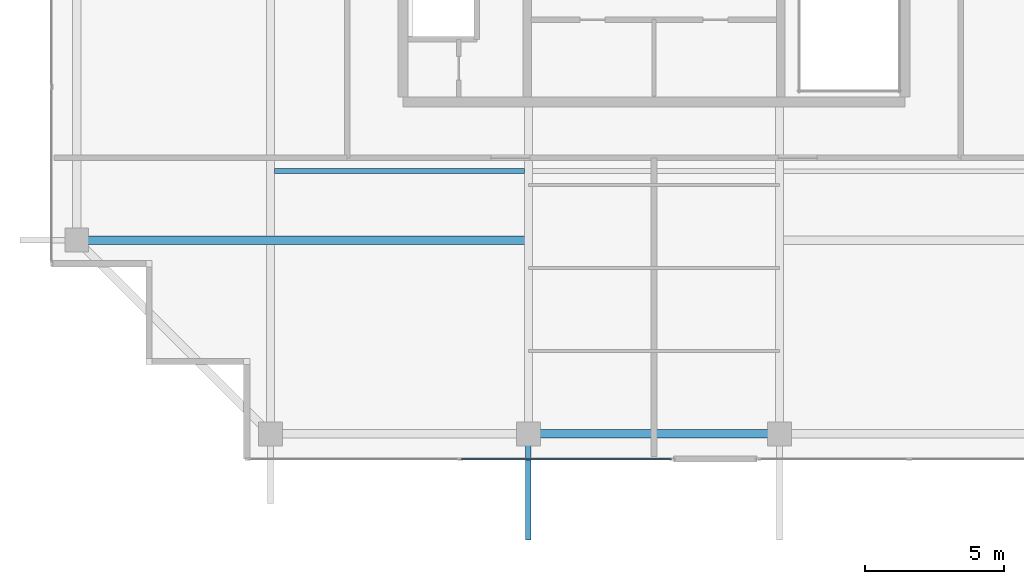
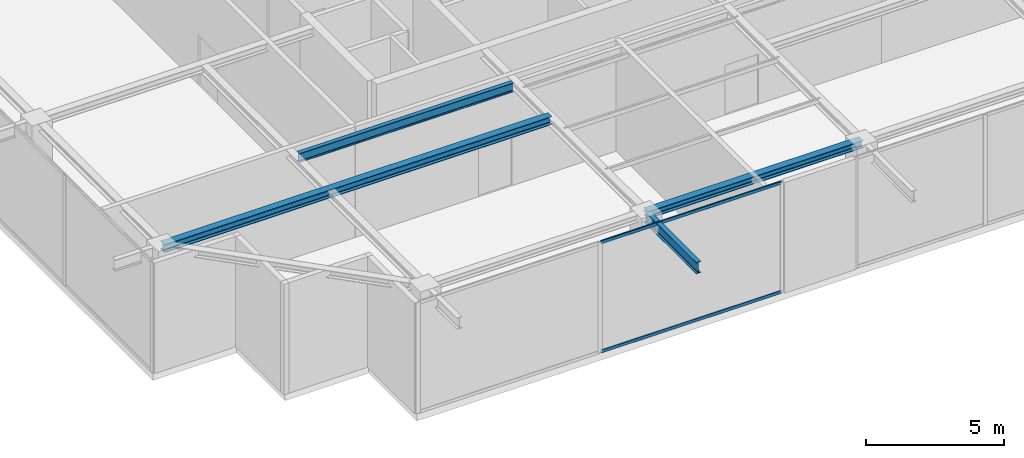
# One storey, part 5 of 27: 4 beams, 2 members, 1 element without a shape of its own.
"""IFC4 building model written with IfcOpenShell, lengths in metres."""

from ifc_helpers import new_model, si_unit, direction, frame, origin, origin_2d, place, context, subcontext, project, spatial, hollow_rectangle, i_section, extrude, source, transform, mapped, material, layer, layer_set, material_profile, profile_set, type_object, element, aggregate, save


model = new_model("IFC4")

# Units and contexts
model_context = context("Model", 3, precision=1e-05, world=origin(), true_north=direction((0.0, 1.0)))
body_context = subcontext(model_context, "Body", "Model", "MODEL_VIEW")
ifc_project = project(units=[si_unit("LENGTHUNIT", "METRE"), si_unit("AREAUNIT", "SQUARE_METRE"), si_unit("VOLUMEUNIT", "CUBIC_METRE"), si_unit("PLANEANGLEUNIT", "RADIAN"), si_unit("MASSUNIT", "GRAM", prefix="KILO")], contexts=[model_context])

# Site, building, storey
site_placement = place(None, origin())
site = spatial("IfcSite", under=ifc_project, at=site_placement, CompositionType="ELEMENT")
building_placement = place(site_placement, origin())
building = spatial("IfcBuilding", under=site, at=building_placement, Name="Serunith Strait Residences", CompositionType="ELEMENT")
storey_placement = place(building_placement, frame((0.0, 0.0, 365.75)))
storey = spatial("IfcBuildingStorey", under=building, at=storey_placement, Name="L89", CompositionType="ELEMENT", Elevation=365.75)

# Beams
ifc_material_1 = material(Name="Steel S355J2", Category="steel")
ifc_material_profile_1 = material_profile(ifc_material_1, i_section(OverallWidth=0.300048828125, OverallDepth=0.360107421875, WebThickness=0.012451171875, FlangeThickness=0.0224609375, FilletRadius=0.027099609375, at=origin_2d()), Name="HEB 360")
ifc_profile_set_1 = profile_set([ifc_material_profile_1], Name="Steel S355J2")
beam_type_1 = type_object("IfcBeamType", Name="BM-HEB360", PredefinedType="BEAM", material=ifc_profile_set_1)
shared_shape_1 = source(origin(), body_context, "Body", "SweptSolid", [
    extrude(i_section(OverallWidth=0.300048828125, OverallDepth=0.360107421875, WebThickness=0.012451171875, FlangeThickness=0.0224609375, FilletRadius=0.027099609375, at=origin_2d()), origin(), (0.0, 0.0, 1.0), 16.199951171875),
])
beam_1_placement = place(storey_placement, frame((27.89990234375, 11.85009765625, 4.717041015625), z_axis=(-1.0, 0.0, 0.0), x_axis=(0.0, -1.0, 0.0)))
element("IfcBeam", 1, at=beam_1_placement, inside=storey, type_object=beam_type_1, Name="L89 Orthogonal Corner Girder TC-W1", PredefinedType="BEAM", context=body_context, shape_type="MappedRepresentation", body=[
    mapped(shared_shape_1, transform((0.0, 0.0, 0.0), scale=1.0)),
])
ifc_material_profile_2 = material_profile(ifc_material_1, i_section(OverallWidth=0.300048828125, OverallDepth=0.320068359375, WebThickness=0.011474609375, FlangeThickness=0.0205078125, FilletRadius=0.027099609375, at=origin_2d()), Name="HEB 320")
ifc_profile_set_2 = profile_set([ifc_material_profile_2], Name="Steel S355J2")
beam_type_2 = type_object("IfcBeamType", Name="BM-HEB320", PredefinedType="BEAM", material=ifc_profile_set_2)
shared_shape_2 = source(origin(), body_context, "Body", "SweptSolid", [
    extrude(i_section(OverallWidth=0.300048828125, OverallDepth=0.320068359375, WebThickness=0.011474609375, FlangeThickness=0.0205078125, FilletRadius=0.027099609375, at=origin_2d()), origin(), (0.0, 0.0, 1.0), 9.0),
])
beam_2_placement = place(storey_placement, frame((27.89990234375, 4.89990234375, 4.737060546875), z_axis=(1.0, 0.0, 0.0), x_axis=(0.0, 1.0, 0.0)))
element("IfcBeam", 2, at=beam_2_placement, inside=storey, type_object=beam_type_2, Name="L89 Perimeter Ring Beam 02", PredefinedType="BEAM", context=body_context, shape_type="MappedRepresentation", body=[
    mapped(shared_shape_2, transform((0.0, 0.0, 0.0), scale=1.0)),
])
ifc_material_profile_3 = material_profile(ifc_material_1, i_section(OverallWidth=0.179931640625, OverallDepth=0.39990234375, WebThickness=0.008544921875, FlangeThickness=0.013427734375, FilletRadius=0.02099609375, at=origin_2d()), Name="IPE 400")
ifc_profile_set_3 = profile_set([ifc_material_profile_3], Name="Steel S355J2")
beam_type_3 = type_object("IfcBeamType", Name="BM-IPE400", PredefinedType="JOIST", material=ifc_profile_set_3)
shared_shape_3 = source(origin(), body_context, "Body", "SweptSolid", [
    extrude(i_section(OverallWidth=0.179931640625, OverallDepth=0.39990234375, WebThickness=0.008544921875, FlangeThickness=0.013427734375, FilletRadius=0.02099609375, at=origin_2d()), origin(), (0.0, 0.0, 1.0), 8.949951171875),
])
beam_3_placement = place(storey_placement, frame((18.800048828125, 14.324951171875, 4.697021484375), z_axis=(1.0, 0.0, 0.0), x_axis=(0.0, 1.0, 0.0)))
element("IfcBeam", 3, at=beam_3_placement, inside=storey, type_object=beam_type_3, Name="L89 Composite Floor Joist 01", PredefinedType="JOIST", context=body_context, shape_type="MappedRepresentation", body=[
    mapped(shared_shape_3, transform((0.0, 0.0, 0.0), scale=1.0)),
])
ifc_material_profile_4 = material_profile(ifc_material_1, i_section(OverallWidth=0.199951171875, OverallDepth=0.5, WebThickness=0.01025390625, FlangeThickness=0.01611328125, FilletRadius=0.02099609375, at=origin_2d()), Name="IPE 500")
ifc_profile_set_4 = profile_set([ifc_material_profile_4], Name="Steel S355J2")
beam_type_4 = type_object("IfcBeamType", Name="BM-IPE500", PredefinedType="JOIST", material=ifc_profile_set_4)
shared_shape_4 = source(origin(), body_context, "Body", "SweptSolid", [
    extrude(i_section(OverallWidth=0.199951171875, OverallDepth=0.5, WebThickness=0.01025390625, FlangeThickness=0.01611328125, FilletRadius=0.02099609375, at=origin_2d()), origin(), (0.0, 0.0, 1.0), 3.7998046875),
])
beam_4_placement = place(storey_placement, frame((27.89990234375, 4.89990234375, 4.64697265625), z_axis=(0.0, -1.0, 0.0), x_axis=(1.0, 0.0, 0.0)))
element("IfcBeam", 4, at=beam_4_placement, inside=storey, type_object=beam_type_4, Name="Crown Canopy Cantilever Rafter TC-S2", PredefinedType="JOIST", context=body_context, shape_type="MappedRepresentation", body=[
    mapped(shared_shape_4, transform((0.0, 0.0, 0.0), scale=1.0)),
])

# Curtain wall, members
ifc_material_2 = material(Name="Pale-Silver Anodised Aluminium", Category="aluminium")
ifc_layer = layer(ifc_material_2, 0.199951171875, Name="Pale-Silver Anodised Aluminium")
ifc_layer_set = layer_set([ifc_layer], Name="Pale-Silver Anodised Aluminium")
curtain_wall_type = type_object("IfcCurtainWallType", Name="CW-SYS7", PredefinedType="NOTDEFINED", material=ifc_layer_set)
curtain_wall_placement = place(storey_placement, origin())
curtain_wall = element("IfcCurtainWall", 5, at=curtain_wall_placement, inside=storey, type_object=curtain_wall_type, Name="L89 S Unitised Fritted Curtain Wall", PredefinedType="NOTDEFINED")
ifc_material_profile_5 = material_profile(ifc_material_2, hollow_rectangle(XDim=0.06005859375, YDim=0.139892578125, WallThickness=0.00341796875, InnerFilletRadius=0.00537109375, OuterFilletRadius=0.0087890625, at=origin_2d()), Name="ALU 140x60x3.5")
ifc_profile_set_5 = profile_set([ifc_material_profile_5], Name="Pale-Silver Anodised Aluminium")
member_type = type_object("IfcMemberType", Name="CW-SYS7-TRAN", PredefinedType="USERDEFINED", material=ifc_profile_set_5)
shared_shape_5 = source(origin(), body_context, "Body", "SweptSolid", [
    extrude(hollow_rectangle(XDim=0.06005859375, YDim=0.139892578125, WallThickness=0.00341796875, InnerFilletRadius=0.00537109375, OuterFilletRadius=0.0087890625, at=origin_2d()), origin(), (0.0, 0.0, 1.0), 7.5419921875),
])
member_1_placement = place(storey_placement, frame((25.486083984375, 4.0, 0.030029296875), z_axis=(1.0, 0.0, 0.0), x_axis=(0.0, 1.0, 0.0)))
member_1 = element("IfcMember", 6, at=member_1_placement, type_object=member_type, Name="CW-7 transom 2.1", ObjectType="TRANSOM", PredefinedType="USERDEFINED", context=body_context, shape_type="MappedRepresentation", body=[
    mapped(shared_shape_5, transform((0.0, 0.0, 0.0), scale=1.0)),
])
member_2_placement = place(storey_placement, frame((25.486083984375, 4.0, 4.85498046875), z_axis=(1.0, 0.0, 0.0), x_axis=(0.0, 1.0, 0.0)))
member_2 = element("IfcMember", 7, at=member_2_placement, type_object=member_type, Name="CW-7 transom 2.2", ObjectType="TRANSOM", PredefinedType="USERDEFINED", context=body_context, shape_type="MappedRepresentation", body=[
    mapped(shared_shape_5, transform((0.0, 0.0, 0.0), scale=1.0)),
])
aggregate(curtain_wall, [member_1, member_2])

save(model, "model.ifc")
